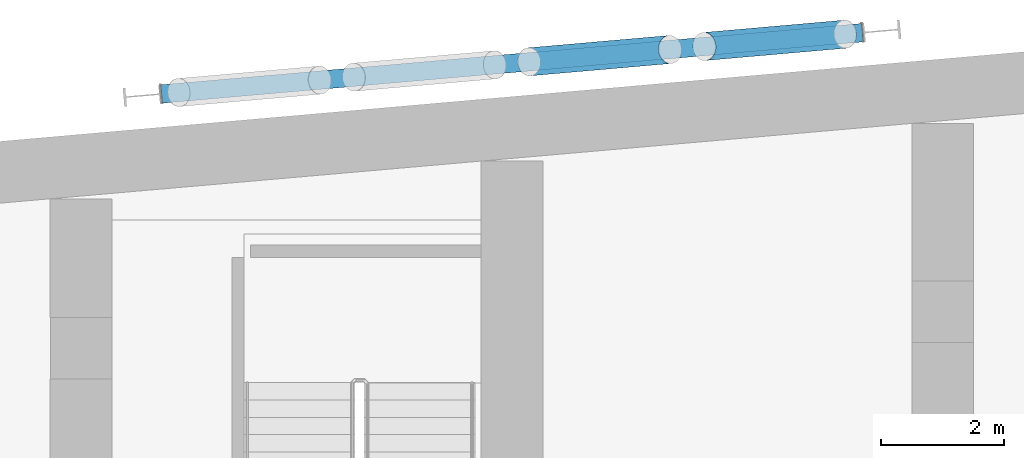
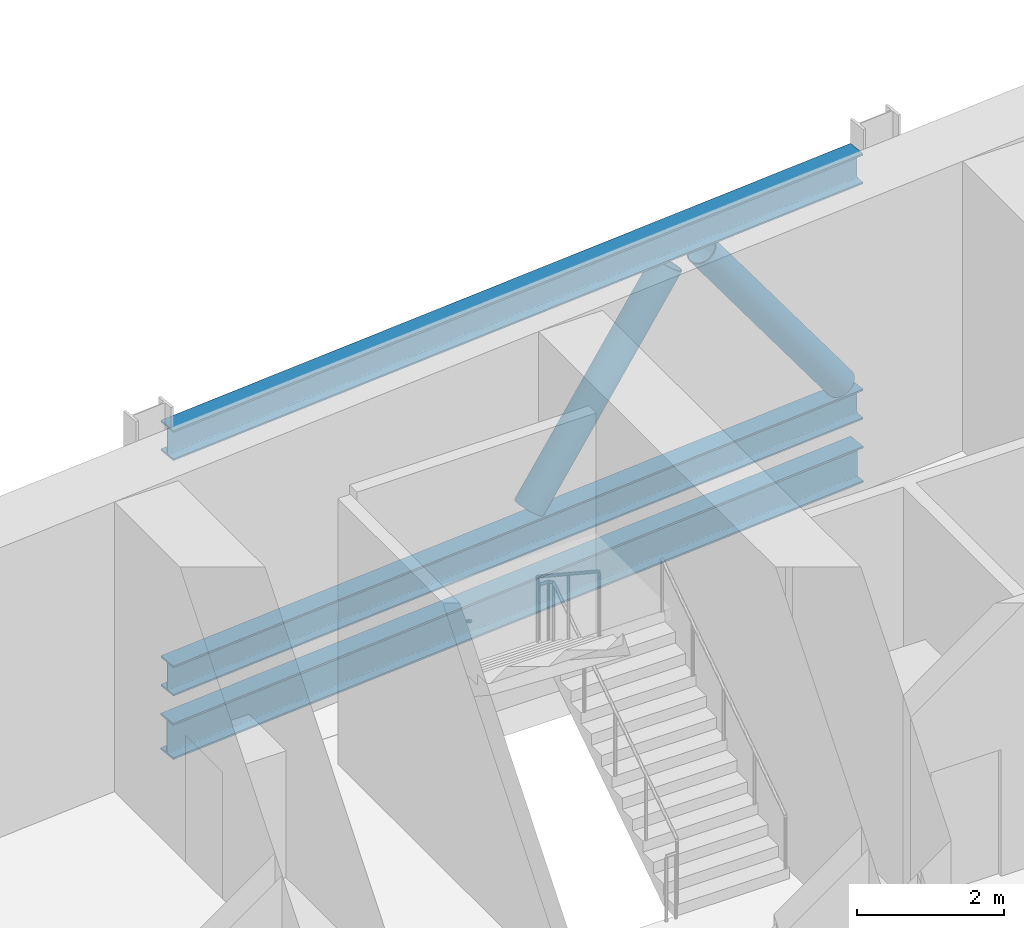
# One storey, part 10 of 42: 4 members, 1 beam.
"""IFC4 building model written with IfcOpenShell, lengths in metres."""

from ifc_helpers import new_model, si_unit, direction, frame, origin, origin_2d, place, context, subcontext, project, spatial, hollow_circle, i_section, extrude, material, material_profile, profile_set, type_object, element, save


model = new_model("IFC4")

# Units and contexts
model_context = context("Model", 3, precision=1e-05, world=origin(), true_north=direction((0.0, 1.0)))
body_context = subcontext(model_context, "Body", "Model", "MODEL_VIEW")
ifc_project = project(units=[si_unit("LENGTHUNIT", "METRE"), si_unit("AREAUNIT", "SQUARE_METRE"), si_unit("VOLUMEUNIT", "CUBIC_METRE"), si_unit("PLANEANGLEUNIT", "RADIAN"), si_unit("MASSUNIT", "GRAM", prefix="KILO")], contexts=[model_context])

# Site, building, storey
site_placement = place(None, origin())
site = spatial("IfcSite", under=ifc_project, at=site_placement, CompositionType="ELEMENT")
building_placement = place(site_placement, origin())
building = spatial("IfcBuilding", under=site, at=building_placement, Name="Wharfspan Tower", CompositionType="ELEMENT")
storey_placement = place(building_placement, frame((0.0, 0.0, 147.100098)))
storey = spatial("IfcBuildingStorey", under=building, at=storey_placement, Name="L35", CompositionType="ELEMENT", Elevation=147.100098)

# Beam
ifc_material_1 = material(Name="Steel S355J2", Category="steel")
ifc_material_profile_1 = material_profile(ifc_material_1, i_section(OverallWidth=0.300049, OverallDepth=0.600098, WebThickness=0.015381, FlangeThickness=0.030029, FilletRadius=0.0271, at=origin_2d()))
ifc_profile_set_1 = profile_set([ifc_material_profile_1], Name="Steel S355J2")
beam_type = type_object("IfcBeamType", Name="Edge beam HEB 600", PredefinedType="SPANDREL", material=ifc_profile_set_1)
beam_placement = place(storey_placement, frame((35.695068, 51.050537, -0.75), z_axis=(-0.996194, -0.087162, 0.0), x_axis=(0.087162, -0.996194, 0.0)))
element("IfcBeam", 1, at=beam_placement, inside=storey, type_object=beam_type, Name="Edge beam N1 L35 R.2 to R.1", PredefinedType="SPANDREL", context=body_context, shape_type="SweptSolid", body=[
    extrude(i_section(OverallWidth=0.300049, OverallDepth=0.600098, WebThickness=0.015381, FlangeThickness=0.030029, FilletRadius=0.0271, at=origin_2d()), origin(), (0.0, 0.0, 1.0), 11.433594),
])

# Members
ifc_material_profile_2 = material_profile(ifc_material_1, i_section(OverallWidth=0.300049, OverallDepth=0.5, WebThickness=0.014404, FlangeThickness=0.028076, FilletRadius=0.0271, at=origin_2d()))
ifc_profile_set_2 = profile_set([ifc_material_profile_2], Name="Steel S355J2")
member_type_1 = type_object("IfcMemberType", Name="Truss chord HEB 500", PredefinedType="CHORD", material=ifc_profile_set_2)
for number, where, z_axis, x_axis, name in (
    (2, (35.691162, 51.050049, 4.149902), (-0.996196, -0.087137, 0.0), (0.087137, -0.996196, 0.0), "Belt truss chord T L35 N1 R.2 to R.1"),
    (3, (35.691162, 51.050049, 0.25), (-0.996196, -0.087137, 0.0), (0.087137, -0.996196, 0.0), "Belt truss chord B L35 N1 R.2 to R.1"),
):
    element("IfcMember", number, at=place(storey_placement, frame(where, z_axis=z_axis, x_axis=x_axis)), inside=storey, type_object=member_type_1, Name=name, PredefinedType="CHORD", context=body_context, shape_type="SweptSolid", body=[
        extrude(i_section(OverallWidth=0.300049, OverallDepth=0.5, WebThickness=0.014404, FlangeThickness=0.028076, FilletRadius=0.0271, at=origin_2d()), origin(), (0.0, 0.0, 1.0), 11.425781),
    ])
ifc_material_2 = material(Name="Steel S460NH", Category="steel")
ifc_material_profile_3 = material_profile(ifc_material_2, hollow_circle(Radius=0.228516, WallThickness=0.016113, at=origin_2d()))
ifc_profile_set_3 = profile_set([ifc_material_profile_3], Name="Steel S460NH")
member_type_2 = type_object("IfcMemberType", Name="Truss diagonal CHS 457x16", PredefinedType="BRACE", material=ifc_profile_set_3)
for number, where, z_axis, x_axis, name in (
    (4, (35.410156, 51.025635, 0.63501), (-0.588639, -0.051539, 0.806751), (0.087224, -0.99619, 1e-06), "Belt truss diagonal L35 N1 R.2 to R.1 1"),
    (5, (32.564697, 50.776611, 3.764893), (-0.588641, -0.051476, -0.806754), (0.087114, -0.996202, 2e-06), "Belt truss diagonal L35 N1 R.2 to R.1 2"),
):
    element("IfcMember", number, at=place(storey_placement, frame(where, z_axis=z_axis, x_axis=x_axis)), inside=storey, type_object=member_type_2, Name=name, PredefinedType="BRACE", context=body_context, shape_type="SweptSolid", body=[
        extrude(hollow_circle(Radius=0.228516, WallThickness=0.016113, at=origin_2d()), origin(), (0.0, 0.0, 1.0), 3.879639),
    ])

save(model, "model.ifc")
